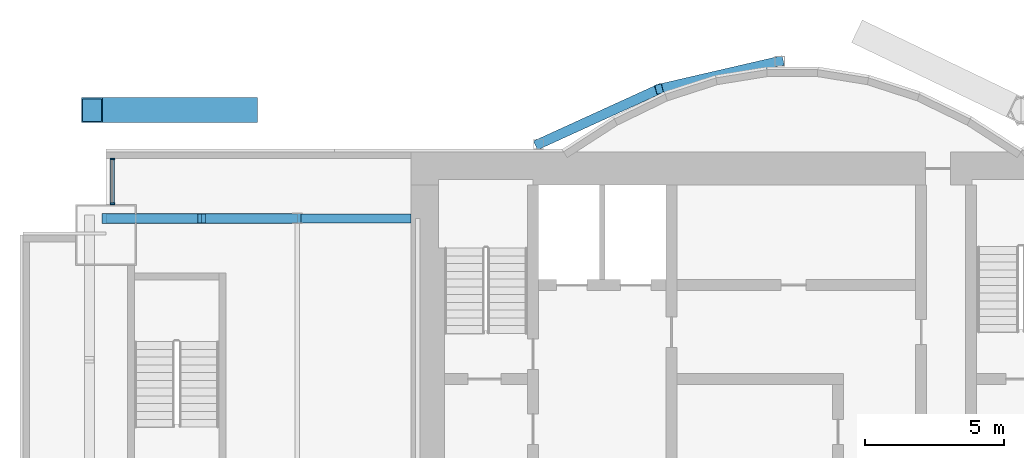
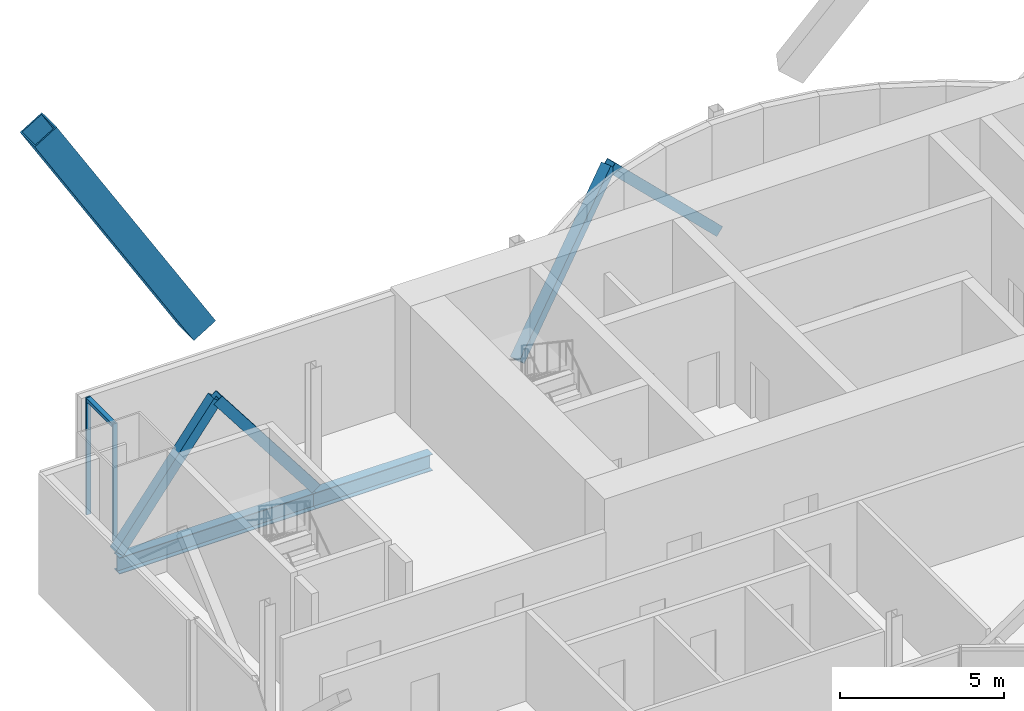
# One storey, part 5 of 17: 8 members, 2 beams, 1 element without a shape of its own.
"""IFC4 building model written with IfcOpenShell, lengths in metres."""

from ifc_helpers import new_model, si_unit, direction, frame, origin, origin_2d, place, context, subcontext, project, spatial, rectangle, hollow_rectangle, i_section, extrude, material, material_profile, profile_set, type_object, element, aggregate, save


model = new_model("IFC4")

# Units and contexts
model_context = context("Model", 3, precision=1e-05, world=origin(), true_north=direction((0.0, 1.0)))
body_context = subcontext(model_context, "Body", "Model", "MODEL_VIEW")
ifc_project = project(units=[si_unit("LENGTHUNIT", "METRE"), si_unit("AREAUNIT", "SQUARE_METRE"), si_unit("VOLUMEUNIT", "CUBIC_METRE"), si_unit("PLANEANGLEUNIT", "RADIAN"), si_unit("MASSUNIT", "GRAM", prefix="KILO")], contexts=[model_context])

# Site, building, storey
site_placement = place(None, origin())
site = spatial("IfcSite", under=ifc_project, at=site_placement, CompositionType="ELEMENT")
building_placement = place(site_placement, origin())
building = spatial("IfcBuilding", under=site, at=building_placement, Name="Bicima Exchange Tower", CompositionType="ELEMENT")
storey_placement = place(building_placement, frame((0.0, 0.0, 333.5)))
storey = spatial("IfcBuildingStorey", under=building, at=storey_placement, Name="L75", CompositionType="ELEMENT", Elevation=333.5)

# Member
ifc_material_1 = material(Name="Steel ASTM A572 Gr 50", Category="steel")
ifc_material_profile_1 = material_profile(ifc_material_1, hollow_rectangle(XDim=0.89990234375, YDim=0.89990234375, WallThickness=0.050048828125, at=origin_2d()))
ifc_profile_set_1 = profile_set([ifc_material_profile_1], Name="Steel ASTM A572 Gr 50")
member_type_1 = type_object("IfcMemberType", Name="Exo mega brace BOX 900x900x50", PredefinedType="BRACE", material=ifc_profile_set_1)
member_1_placement = place(storey_placement, frame((-27.916748046875, 1.5, 4.308349609375), z_axis=(-0.521226887558, 0.0, 0.853418145862), x_axis=(0.0, -1.0, 0.0)))
element("IfcMember", 1, at=member_1_placement, inside=storey, type_object=member_type_1, Name="Exo mega brace rear", PredefinedType="BRACE", context=body_context, shape_type="SweptSolid", body=[
    extrude(hollow_rectangle(XDim=0.89990234375, YDim=0.89990234375, WallThickness=0.050048828125, at=origin_2d()), origin(), (0.0, 0.0, 1.0), 10.711669921875),
])

# Curtain wall, members
ifc_material_2 = material(Name="Anodised bronze aluminium", Category="aluminium")
curtain_wall_type = type_object("IfcCurtainWallType", Name="Front glass wall", PredefinedType="NOTDEFINED", material=ifc_material_2)
curtain_wall_placement = place(storey_placement, origin())
curtain_wall = element("IfcCurtainWall", 2, at=curtain_wall_placement, inside=storey, type_object=curtain_wall_type, Name="Front glass wall L75 run 1", PredefinedType="NOTDEFINED")
ifc_material_profile_2 = material_profile(ifc_material_2, rectangle(XDim=0.159912109375, YDim=0.06005859375, at=origin_2d()))
ifc_profile_set_2 = profile_set([ifc_material_profile_2], Name="Anodised bronze aluminium")
member_type_2 = type_object("IfcMemberType", Name="Front glass wall mullion 60 x 160", PredefinedType="MULLION", material=ifc_profile_set_2)
member_2_placement = place(storey_placement, frame((-32.77001953125, -0.260009765625, 0.0), z_axis=(0.0, 0.0, 1.0), x_axis=(1.0, 0.0, 0.0)))
member_2 = element("IfcMember", 3, at=member_2_placement, type_object=member_type_2, Name="Front glass wall mullion 1", PredefinedType="MULLION", context=body_context, shape_type="SweptSolid", body=[
    extrude(rectangle(XDim=0.159912109375, YDim=0.06005859375, at=origin_2d()), origin(), (0.0, 0.0, 1.0), 4.35009765625),
])
member_3_placement = place(storey_placement, frame((-32.77001953125, -1.8701171875, 0.0), z_axis=(0.0, 0.0, 1.0), x_axis=(1.0, 0.0, 0.0)))
member_3 = element("IfcMember", 4, at=member_3_placement, type_object=member_type_2, Name="Front glass wall mullion 2", PredefinedType="MULLION", context=body_context, shape_type="SweptSolid", body=[
    extrude(rectangle(XDim=0.159912109375, YDim=0.06005859375, at=origin_2d()), origin(), (0.0, 0.0, 1.0), 4.35009765625),
])
ifc_material_profile_3 = material_profile(ifc_material_2, rectangle(XDim=0.159912109375, YDim=0.139892578125, at=origin_2d()))
ifc_profile_set_3 = profile_set([ifc_material_profile_3], Name="Anodised bronze aluminium")
member_type_3 = type_object("IfcMemberType", Name="Front glass wall transom 140 x 160", PredefinedType="USERDEFINED", material=ifc_profile_set_3)
member_4_placement = place(storey_placement, frame((-32.77001953125, -0.2900390625, 4.280029296875), z_axis=(0.0, -1.0, 0.0), x_axis=(1.0, 0.0, 0.0)))
member_4 = element("IfcMember", 5, at=member_4_placement, type_object=member_type_3, Name="Front glass wall transom 1.1", ObjectType="TRANSOM", PredefinedType="USERDEFINED", context=body_context, shape_type="SweptSolid", body=[
    extrude(rectangle(XDim=0.159912109375, YDim=0.139892578125, at=origin_2d()), origin(), (0.0, 0.0, 1.0), 1.550048828125),
])
aggregate(curtain_wall, [member_2, member_3, member_4])

# Members
ifc_material_profile_4 = material_profile(ifc_material_1, hollow_rectangle(XDim=0.355712890625, YDim=0.355712890625, WallThickness=0.01171875, at=origin_2d()))
ifc_profile_set_4 = profile_set([ifc_material_profile_4], Name="Steel ASTM A572 Gr 50")
member_type_4 = type_object("IfcMemberType", Name="Mega brace HSS14x14x1/2", PredefinedType="BRACE", material=ifc_profile_set_4)
member_5_placement = place(storey_placement, frame((-17.39990234375, 0.278076171875, 0.0), z_axis=(0.662507516739, 0.302231638101, 0.685375683254), x_axis=(-0.415045223819, 0.909800781592, 0.0)))
element("IfcMember", 6, at=member_5_placement, inside=storey, type_object=member_type_4, Name="Mega brace rexo", PredefinedType="BRACE", context=body_context, shape_type="SweptSolid", body=[
    extrude(hollow_rectangle(XDim=0.355712890625, YDim=0.355712890625, WallThickness=0.01171875, at=origin_2d()), origin(), (0.0, 0.0, 1.0), 6.565673828125),
])
member_6_placement = place(storey_placement, frame((-8.699951171875, 3.26904296875, 0.0), z_axis=(-0.686212303743, -0.158786245837, 0.709858860848), x_axis=(0.225438503722, -0.974257399787, 0.0)))
element("IfcMember", 7, at=member_6_placement, inside=storey, type_object=member_type_4, Name="Mega brace rexo", PredefinedType="BRACE", context=body_context, shape_type="SweptSolid", body=[
    extrude(hollow_rectangle(XDim=0.355712890625, YDim=0.355712890625, WallThickness=0.01171875, at=origin_2d()), origin(), (0.0, 0.0, 1.0), 6.33935546875),
])
for number, where, z_axis, x_axis, name in (
    (8, (-33.0, -2.39990234375, 0.0), (0.608426120198, 0.0, 0.793610519248), (0.0, 1.0, 0.0), "Mega brace rear"),
    (9, (-26.10009765625, -2.39990234375, 0.0), (-0.608426120198, 0.0, 0.793610519248), (0.0, -1.0, 0.0), "Mega brace rear"),
):
    element("IfcMember", number, at=place(storey_placement, frame(where, z_axis=z_axis, x_axis=x_axis)), inside=storey, type_object=member_type_4, Name=name, PredefinedType="BRACE", context=body_context, shape_type="SweptSolid", body=[
        extrude(hollow_rectangle(XDim=0.355712890625, YDim=0.355712890625, WallThickness=0.01171875, at=origin_2d()), origin(), (0.0, 0.0, 1.0), 5.670166015625),
    ])

# Beams
ifc_material_3 = material(Name="Steel ASTM A992 Gr 50", Category="steel")
ifc_material_profile_5 = material_profile(ifc_material_3, i_section(OverallWidth=0.3251953125, OverallDepth=0.612060546875, WebThickness=0.0126953125, FlangeThickness=0.01904296875, at=origin_2d()))
ifc_profile_set_5 = profile_set([ifc_material_profile_5], Name="Steel ASTM A992 Gr 50")
beam_type = type_object("IfcBeamType", Name="Rear girder W24x104", PredefinedType="BEAM", material=ifc_profile_set_5)
beam_1_placement = place(storey_placement, frame((-22.0, -2.39990234375, -0.4560546875), z_axis=(-1.0, 0.0, 0.0), x_axis=(0.0, -1.0, 0.0)))
element("IfcBeam", 10, at=beam_1_placement, inside=storey, type_object=beam_type, Name="Rear girder", PredefinedType="BEAM", context=body_context, shape_type="SweptSolid", body=[
    extrude(i_section(OverallWidth=0.3251953125, OverallDepth=0.612060546875, WebThickness=0.0126953125, FlangeThickness=0.01904296875, at=origin_2d()), origin(), (0.0, 0.0, 1.0), 4.10009765625),
])
beam_2_placement = place(storey_placement, frame((-26.10009765625, -2.39990234375, -0.4560546875), z_axis=(-1.0, 0.0, 0.0), x_axis=(0.0, -1.0, 0.0)))
element("IfcBeam", 11, at=beam_2_placement, inside=storey, type_object=beam_type, Name="Rear girder", PredefinedType="BEAM", context=body_context, shape_type="SweptSolid", body=[
    extrude(i_section(OverallWidth=0.3251953125, OverallDepth=0.612060546875, WebThickness=0.0126953125, FlangeThickness=0.01904296875, at=origin_2d()), origin(), (0.0, 0.0, 1.0), 6.89990234375),
])

save(model, "model.ifc")
